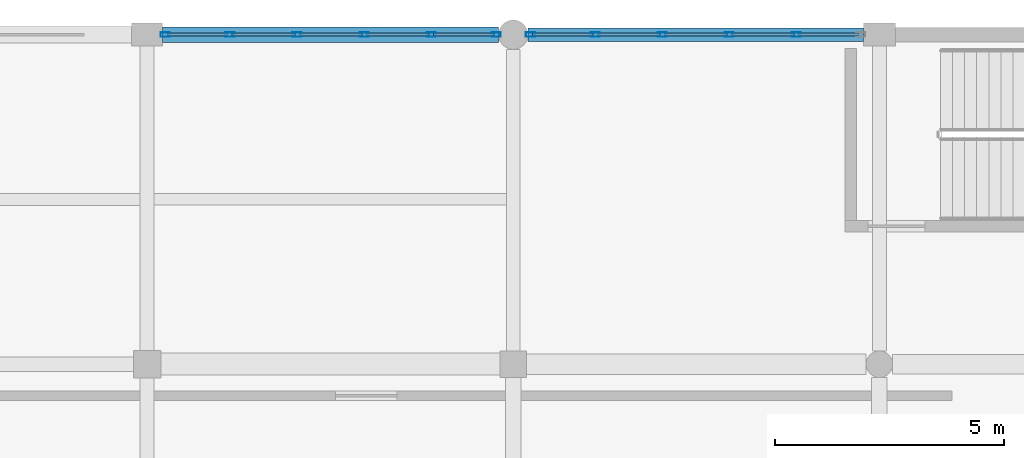
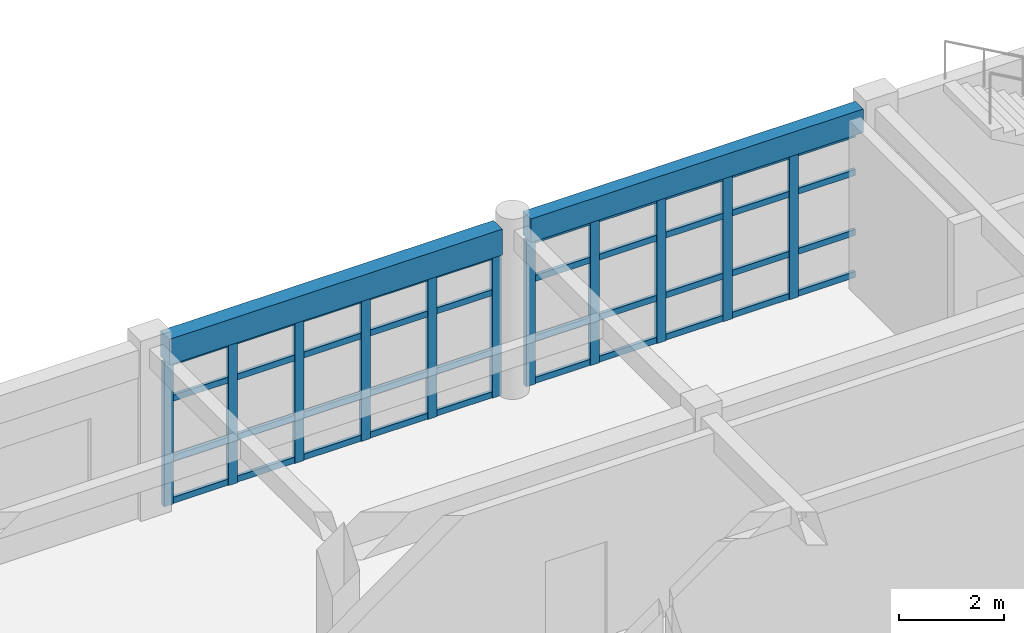
# One storey, part 83 of 121: 51 members, 2 beams, 2 elements without a shape of their own.
"""IFC4 building model written with IfcOpenShell, lengths in metres."""

import ifcopenshell
import ifcopenshell.guid

model = None  # the IFC model being written
_history = None  # IfcOwnerHistory: only IFC2X3 demands one
_inside = {}  # id of a spatial element -> (the spatial element, [elements in it])
_under = {}  # id of a project, library or spatial element -> (it, [spatial elements below it])
_declared = {}  # id of a project -> (the project, [libraries it declares])
_typed = {}  # id of a type object -> (the type object, [elements of that type])
_made_of = {}  # id of a material, layer set ... -> (it, [elements and type objects made of it])


def new_model(schema):
    """Start an empty IFC model of exactly this schema.

    Asked for "IFC4X3", IfcOpenShell would pick the latest addendum, in which some entities
    have other attributes; the version numbers below select the first issue.
    IFC2X3 requires an IfcOwnerHistory on every rooted entity: one is made here for all.
    """
    global model, _history
    if schema == "IFC4X3":
        model = ifcopenshell.file(schema_version=(4, 3, 0, 0))
    else:
        model = ifcopenshell.file(schema=schema)
    _inside.clear()
    _under.clear()
    _declared.clear()
    _typed.clear()
    _made_of.clear()
    _history = None
    if model.schema == "IFC2X3":
        org = make("IfcOrganization", Name="unknown")
        user = make(
            "IfcPersonAndOrganization",
            ThePerson=make("IfcPerson", FamilyName="unknown"),
            TheOrganization=org,
        )
        app = make(
            "IfcApplication",
            ApplicationDeveloper=org,
            Version="unknown",
            ApplicationFullName="unknown",
            ApplicationIdentifier="unknown",
        )
        _history = make(
            "IfcOwnerHistory",
            OwningUser=user,
            OwningApplication=app,
            ChangeAction="ADDED",
            CreationDate=0,
        )
    return model


def make(cls, **values):
    """One entity of the class cls with the attributes given. An attribute that is None is left unset."""
    return model.create_entity(
        cls, **{name: value for name, value in values.items() if value is not None}
    )


def rooted(cls, **values):
    """An entity with a GlobalId (a new one), such as an element, a storey or a relation."""
    return make(cls, GlobalId=ifcopenshell.guid.new(), OwnerHistory=_history, **values)


def si_unit(unit_type, name, prefix=None):
    """IfcSIUnit, for example si_unit("LENGTHUNIT", "METRE", prefix="MILLI")."""
    return make("IfcSIUnit", UnitType=unit_type, Prefix=prefix, Name=name)


def assignment(units):
    """IfcUnitAssignment: the units of a project."""
    return None if units is None else make("IfcUnitAssignment", Units=units)


def point(xyz):
    """IfcCartesianPoint."""
    return None if xyz is None else make("IfcCartesianPoint", Coordinates=xyz)


def direction(xyz):
    """IfcDirection."""
    return None if xyz is None else make("IfcDirection", DirectionRatios=xyz)


def frame(location, z_axis=None, x_axis=None):
    """IfcAxis2Placement3D, a coordinate frame: its origin and axes. An axis left out is left unset."""
    return make(
        "IfcAxis2Placement3D",
        Location=point(location),
        Axis=direction(z_axis),
        RefDirection=direction(x_axis),
    )


def frame_2d(location, x_axis=None):
    """IfcAxis2Placement2D, a coordinate frame in the plane: its origin and x axis."""
    return make(
        "IfcAxis2Placement2D", Location=point(location), RefDirection=direction(x_axis)
    )


def origin():
    """The frame at (0, 0, 0) with its axes left unset."""
    return frame((0.0, 0.0, 0.0))


def origin_2d():
    """The frame at (0, 0) in the plane with its x axis left unset."""
    return frame_2d((0.0, 0.0))


def place(relative_to, where):
    """IfcLocalPlacement: puts the frame where relative to a parent placement (None: the world)."""
    return make(
        "IfcLocalPlacement", PlacementRelTo=relative_to, RelativePlacement=where
    )


def context(
    kind, dimensions, precision=None, world=None, true_north=None, identifier=None
):
    """IfcGeometricRepresentationContext, for example the 3D "Model" context."""
    return make(
        "IfcGeometricRepresentationContext",
        ContextIdentifier=identifier,
        ContextType=kind,
        CoordinateSpaceDimension=dimensions,
        Precision=precision,
        WorldCoordinateSystem=world,
        TrueNorth=true_north,
    )


def subcontext(parent, identifier, kind, view, scale=None):
    """IfcGeometricRepresentationSubContext, for example "Body" below "Model"."""
    return make(
        "IfcGeometricRepresentationSubContext",
        ContextIdentifier=identifier,
        ContextType=kind,
        ParentContext=parent,
        TargetScale=scale,
        TargetView=view,
    )


def project(units=None, contexts=None):
    """IfcProject with its units and contexts."""
    return rooted(
        "IfcProject",
        Name="project",
        RepresentationContexts=contexts,
        UnitsInContext=assignment(units),
    )


def spatial(cls, under=None, at=None, **own):
    """A site, building, storey or space (cls), placed at a placement, below another one or the project."""
    s = rooted(cls, ObjectPlacement=at, **own)
    if under is not None:
        _under.setdefault(under.id(), (under, []))[1].append(s)
    return s


def profile(cls, at=None, kind="AREA", **sizes):
    """A parametric profile (cls). Its sizes go by their IFC names, for example OverallWidth=200.0."""
    return make(cls, ProfileType=kind, Position=at, **sizes)


def rectangle(**sizes):
    """IfcRectangleProfileDef."""
    return profile("IfcRectangleProfileDef", **sizes)


def hollow_rectangle(**sizes):
    """IfcRectangleHollowProfileDef."""
    return profile("IfcRectangleHollowProfileDef", **sizes)


def extrude(swept, where, along, depth):
    """IfcExtrudedAreaSolid: the profile swept, set in the frame where, extruded along a direction by depth."""
    return make(
        "IfcExtrudedAreaSolid",
        SweptArea=swept,
        Position=where,
        ExtrudedDirection=direction(along),
        Depth=depth,
    )


def shape(context_of_items, identifier, shape_type, items):
    """IfcShapeRepresentation: the items that make up one representation, for example the "Body"."""
    return make(
        "IfcShapeRepresentation",
        ContextOfItems=context_of_items,
        RepresentationIdentifier=identifier,
        RepresentationType=shape_type,
        Items=items,
    )


def material(Name=None, Category=None):
    """IfcMaterial."""
    return make("IfcMaterial", Name=Name, Category=Category)


def material_profile(
    of_material, cross_section, Name=None, Category=None, Priority=None
):
    """IfcMaterialProfile: a cross section and its material."""
    return make(
        "IfcMaterialProfile",
        Name=Name,
        Material=of_material,
        Profile=cross_section,
        Priority=Priority,
        Category=Category,
    )


def profile_set(profiles, Name=None, composite=None):
    """IfcMaterialProfileSet."""
    return make(
        "IfcMaterialProfileSet",
        Name=Name,
        MaterialProfiles=profiles,
        CompositeProfile=composite,
    )


def made_of(thing, what):
    """Note that an element or type object is made of a material, layer set ...; save() writes the relation."""
    if what is not None:
        _made_of.setdefault(what.id(), (what, []))[1].append(thing)
    return thing


def type_object(cls, material=None, **own):
    """A type object (cls), such as IfcWallType, which elements share."""
    return made_of(rooted(cls, **own), material)


def element(
    cls,
    number,
    at=None,
    inside=None,
    cuts=None,
    type_object=None,
    material=None,
    context=None,
    identifier="Body",
    shape_type=None,
    held_by="IfcProductDefinitionShape",
    body=None,
    shapes=None,
    **own,
):
    """One element of the class cls, such as IfcWall. Its Tag is "e" and its number.

    at: its placement. inside: the storey or other place that contains it. cuts: it is an
    opening in that element (IfcRelVoidsElement). A single representation is given by context,
    identifier, shape_type and body (its items); several are given by shapes. held_by: the class
    of the entity that holds the representations. save() writes the other relations.
    """
    e = rooted(cls, Tag="e%d" % number, ObjectPlacement=at, **own)
    if body is not None:
        shapes = [shape(context, identifier, shape_type, body)]
    if shapes is not None:
        e.Representation = make(held_by, Representations=shapes)
    if inside is not None:
        _inside.setdefault(inside.id(), (inside, []))[1].append(e)
    if cuts is not None:
        rooted(
            "IfcRelVoidsElement", RelatingBuildingElement=cuts, RelatedOpeningElement=e
        )
    if type_object is not None:
        _typed.setdefault(type_object.id(), (type_object, []))[1].append(e)
    return made_of(e, material)


def aggregate(whole, parts):
    """IfcRelAggregates: a whole, such as a stair, and the parts it consists of."""
    return rooted("IfcRelAggregates", RelatingObject=whole, RelatedObjects=parts)


def save(model, path):
    """Write the relations noted so far, then the file.

    IfcRelAggregates (storeys below a building ...), IfcRelContainedInSpatialStructure (elements
    in a storey), IfcRelDefinesByType, IfcRelAssociatesMaterial and IfcRelDeclares: one each for
    every whole, place, type object, material and project.
    """
    for whole, parts in _under.values():
        aggregate(whole, parts)
    for where, things in _inside.values():
        rooted(
            "IfcRelContainedInSpatialStructure",
            RelatedElements=things,
            RelatingStructure=where,
        )
    for kind, things in _typed.values():
        rooted("IfcRelDefinesByType", RelatedObjects=things, RelatingType=kind)
    for what, things in _made_of.values():
        rooted("IfcRelAssociatesMaterial", RelatedObjects=things, RelatingMaterial=what)
    for by, libraries in _declared.values():
        rooted("IfcRelDeclares", RelatingContext=by, RelatedDefinitions=libraries)
    model.write(path)


model = new_model("IFC4")

# Units and contexts
model_context = context("Model", 3, precision=1e-05, world=origin(), true_north=direction((0.0, 1.0)))
body_context = subcontext(model_context, "Body", "Model", "MODEL_VIEW")
ifc_project = project(units=[si_unit("LENGTHUNIT", "METRE"), si_unit("AREAUNIT", "SQUARE_METRE"), si_unit("VOLUMEUNIT", "CUBIC_METRE"), si_unit("PLANEANGLEUNIT", "RADIAN"), si_unit("MASSUNIT", "GRAM", prefix="KILO")], contexts=[model_context])

# Site, building, storey
site_placement = place(None, origin())
site = spatial("IfcSite", under=ifc_project, at=site_placement, CompositionType="ELEMENT")
building_placement = place(site_placement, origin())
building = spatial("IfcBuilding", under=site, at=building_placement, Name="Kharva Crest Polytechnic", CompositionType="ELEMENT")
storey_placement = place(building_placement, frame((0.0, 0.0, 13.199951171875)))
storey = spatial("IfcBuildingStorey", under=building, at=storey_placement, Name="L03", CompositionType="ELEMENT", Elevation=13.199951171875)

# Curtain wall, members
ifc_material_1 = material(Name="Tempered insulated glass", Category="glass")
curtain_wall_type = type_object("IfcCurtainWallType", Name="CW-SYS-LIBRARY", PredefinedType="USERDEFINED", material=ifc_material_1)
curtain_wall_1_placement = place(storey_placement, origin())
curtain_wall_1 = element("IfcCurtainWall", 1, at=curtain_wall_1_placement, inside=storey, type_object=curtain_wall_type, Name="L03 Glazed Curtain Wall CW-157", ObjectType="CURTAIN WALL", PredefinedType="USERDEFINED")
ifc_material_2 = material(Name="Steel S355", Category="steel")
ifc_material_profile_1 = material_profile(ifc_material_2, hollow_rectangle(XDim=0.10009765625, YDim=0.199951171875, WallThickness=0.00634765625, at=origin_2d()), Name="RHS 200X100X6.3")
ifc_profile_set_1 = profile_set([ifc_material_profile_1], Name="Steel S355")
member_type_1 = type_object("IfcMemberType", Name="CWM-RHS200X100", PredefinedType="MULLION", material=ifc_profile_set_1)
member_1_placement = place(storey_placement, frame((142.98095703125, 122.0, 0.0), z_axis=(0.0, 0.0, 1.0), x_axis=(0.0, -1.0, 0.0)))
member_1 = element("IfcMember", 2, at=member_1_placement, type_object=member_type_1, Name="CW-157 mullion 2", PredefinedType="MULLION", context=body_context, shape_type="SweptSolid", body=[
    extrude(hollow_rectangle(XDim=0.10009765625, YDim=0.199951171875, WallThickness=0.00634765625, at=origin_2d()), origin(), (0.0, 0.0, 1.0), 3.41015625),
])
member_2_placement = place(storey_placement, frame((141.51708984375, 122.0, 0.0), z_axis=(0.0, 0.0, 1.0), x_axis=(0.0, -1.0, 0.0)))
member_2 = element("IfcMember", 3, at=member_2_placement, type_object=member_type_1, Name="CW-157 mullion 3", PredefinedType="MULLION", context=body_context, shape_type="SweptSolid", body=[
    extrude(hollow_rectangle(XDim=0.10009765625, YDim=0.199951171875, WallThickness=0.00634765625, at=origin_2d()), origin(), (0.0, 0.0, 1.0), 3.41015625),
])
member_3_placement = place(storey_placement, frame((140.052978515625, 122.0, 0.0), z_axis=(0.0, 0.0, 1.0), x_axis=(0.0, -1.0, 0.0)))
member_3 = element("IfcMember", 4, at=member_3_placement, type_object=member_type_1, Name="CW-157 mullion 4", PredefinedType="MULLION", context=body_context, shape_type="SweptSolid", body=[
    extrude(hollow_rectangle(XDim=0.10009765625, YDim=0.199951171875, WallThickness=0.00634765625, at=origin_2d()), origin(), (0.0, 0.0, 1.0), 3.41015625),
])
member_4_placement = place(storey_placement, frame((138.589111328125, 122.0, 0.0), z_axis=(0.0, 0.0, 1.0), x_axis=(0.0, -1.0, 0.0)))
member_4 = element("IfcMember", 5, at=member_4_placement, type_object=member_type_1, Name="CW-157 mullion 5", PredefinedType="MULLION", context=body_context, shape_type="SweptSolid", body=[
    extrude(hollow_rectangle(XDim=0.10009765625, YDim=0.199951171875, WallThickness=0.00634765625, at=origin_2d()), origin(), (0.0, 0.0, 1.0), 3.41015625),
])
member_5_placement = place(storey_placement, frame((137.175048828125, 122.0, 0.0), z_axis=(0.0, 0.0, 1.0), x_axis=(0.0, -1.0, 0.0)))
member_5 = element("IfcMember", 6, at=member_5_placement, type_object=member_type_1, Name="CW-157 mullion 6", PredefinedType="MULLION", context=body_context, shape_type="SweptSolid", body=[
    extrude(hollow_rectangle(XDim=0.10009765625, YDim=0.199951171875, WallThickness=0.00634765625, at=origin_2d()), origin(), (0.0, 0.0, 1.0), 3.41015625),
])

curtain_wall_2_placement = place(storey_placement, origin())
curtain_wall_2 = element("IfcCurtainWall", 7, at=curtain_wall_2_placement, inside=storey, type_object=curtain_wall_type, Name="L03 Glazed Curtain Wall CW-158", ObjectType="CURTAIN WALL", PredefinedType="USERDEFINED")
member_6_placement = place(storey_placement, frame((136.425048828125, 122.0, 0.0), z_axis=(0.0, 0.0, 1.0), x_axis=(0.0, -1.0, 0.0)))
member_6 = element("IfcMember", 8, at=member_6_placement, type_object=member_type_1, Name="CW-158 mullion 1", PredefinedType="MULLION", context=body_context, shape_type="SweptSolid", body=[
    extrude(hollow_rectangle(XDim=0.10009765625, YDim=0.199951171875, WallThickness=0.00634765625, at=origin_2d()), origin(), (0.0, 0.0, 1.0), 3.360107421875),
])
member_7_placement = place(storey_placement, frame((135.009033203125, 122.0, 0.0), z_axis=(0.0, 0.0, 1.0), x_axis=(0.0, -1.0, 0.0)))
member_7 = element("IfcMember", 9, at=member_7_placement, type_object=member_type_1, Name="CW-158 mullion 2", PredefinedType="MULLION", context=body_context, shape_type="SweptSolid", body=[
    extrude(hollow_rectangle(XDim=0.10009765625, YDim=0.199951171875, WallThickness=0.00634765625, at=origin_2d()), origin(), (0.0, 0.0, 1.0), 3.360107421875),
])
member_8_placement = place(storey_placement, frame((133.54296875, 122.0, 0.0), z_axis=(0.0, 0.0, 1.0), x_axis=(0.0, -1.0, 0.0)))
member_8 = element("IfcMember", 10, at=member_8_placement, type_object=member_type_1, Name="CW-158 mullion 3", PredefinedType="MULLION", context=body_context, shape_type="SweptSolid", body=[
    extrude(hollow_rectangle(XDim=0.10009765625, YDim=0.199951171875, WallThickness=0.00634765625, at=origin_2d()), origin(), (0.0, 0.0, 1.0), 3.360107421875),
])
member_9_placement = place(storey_placement, frame((132.076904296875, 122.0, 0.0), z_axis=(0.0, 0.0, 1.0), x_axis=(0.0, -1.0, 0.0)))
member_9 = element("IfcMember", 11, at=member_9_placement, type_object=member_type_1, Name="CW-158 mullion 4", PredefinedType="MULLION", context=body_context, shape_type="SweptSolid", body=[
    extrude(hollow_rectangle(XDim=0.10009765625, YDim=0.199951171875, WallThickness=0.00634765625, at=origin_2d()), origin(), (0.0, 0.0, 1.0), 3.360107421875),
])
member_10_placement = place(storey_placement, frame((130.611083984375, 122.0, 0.0), z_axis=(0.0, 0.0, 1.0), x_axis=(0.0, -1.0, 0.0)))
member_10 = element("IfcMember", 12, at=member_10_placement, type_object=member_type_1, Name="CW-158 mullion 5", PredefinedType="MULLION", context=body_context, shape_type="SweptSolid", body=[
    extrude(hollow_rectangle(XDim=0.10009765625, YDim=0.199951171875, WallThickness=0.00634765625, at=origin_2d()), origin(), (0.0, 0.0, 1.0), 3.360107421875),
])
member_11_placement = place(storey_placement, frame((129.195068359375, 122.0, 0.0), z_axis=(0.0, 0.0, 1.0), x_axis=(0.0, -1.0, 0.0)))
member_11 = element("IfcMember", 13, at=member_11_placement, type_object=member_type_1, Name="CW-158 mullion 6", PredefinedType="MULLION", context=body_context, shape_type="SweptSolid", body=[
    extrude(hollow_rectangle(XDim=0.10009765625, YDim=0.199951171875, WallThickness=0.00634765625, at=origin_2d()), origin(), (0.0, 0.0, 1.0), 3.360107421875),
])

# Member
ifc_material_profile_2 = material_profile(ifc_material_2, hollow_rectangle(XDim=0.070068359375, YDim=0.139892578125, WallThickness=0.00390625, at=origin_2d()), Name="RHS 140X70X4.0")
ifc_profile_set_2 = profile_set([ifc_material_profile_2], Name="Steel S355")
member_type_2 = type_object("IfcMemberType", Name="CWT-RHS140X70", PredefinedType="USERDEFINED", material=ifc_profile_set_2)
member_12_placement = place(storey_placement, frame((144.344970703125, 122.0, 0.070068359375), z_axis=(-1.0, 0.0, 0.0), x_axis=(0.0, -1.0, 0.0)))
member_12 = element("IfcMember", 14, at=member_12_placement, type_object=member_type_2, Name="CW-157 transom 1.1", ObjectType="TRANSOM", PredefinedType="USERDEFINED", context=body_context, shape_type="SweptSolid", body=[
    extrude(hollow_rectangle(XDim=0.070068359375, YDim=0.139892578125, WallThickness=0.00390625, at=origin_2d()), origin(), (0.0, 0.0, 1.0), 1.31396484375),
])

member_13_placement = place(storey_placement, frame((144.344970703125, 122.0, 1.050048828125), z_axis=(-1.0, 0.0, 0.0), x_axis=(0.0, -1.0, 0.0)))
member_13 = element("IfcMember", 15, at=member_13_placement, type_object=member_type_2, Name="CW-157 transom 1.2", ObjectType="TRANSOM", PredefinedType="USERDEFINED", context=body_context, shape_type="SweptSolid", body=[
    extrude(hollow_rectangle(XDim=0.070068359375, YDim=0.139892578125, WallThickness=0.00390625, at=origin_2d()), origin(), (0.0, 0.0, 1.0), 1.31396484375),
])

member_14_placement = place(storey_placement, frame((144.344970703125, 122.0, 2.449951171875), z_axis=(-1.0, 0.0, 0.0), x_axis=(0.0, -1.0, 0.0)))
member_14 = element("IfcMember", 16, at=member_14_placement, type_object=member_type_2, Name="CW-157 transom 1.3", ObjectType="TRANSOM", PredefinedType="USERDEFINED", context=body_context, shape_type="SweptSolid", body=[
    extrude(hollow_rectangle(XDim=0.070068359375, YDim=0.139892578125, WallThickness=0.00390625, at=origin_2d()), origin(), (0.0, 0.0, 1.0), 1.31396484375),
])

member_15_placement = place(storey_placement, frame((144.344970703125, 122.0, 3.340087890625), z_axis=(-1.0, 0.0, 0.0), x_axis=(0.0, -1.0, 0.0)))
member_15 = element("IfcMember", 17, at=member_15_placement, type_object=member_type_2, Name="CW-157 transom 1.4", ObjectType="TRANSOM", PredefinedType="USERDEFINED", context=body_context, shape_type="SweptSolid", body=[
    extrude(hollow_rectangle(XDim=0.070068359375, YDim=0.139892578125, WallThickness=0.00390625, at=origin_2d()), origin(), (0.0, 0.0, 1.0), 1.31396484375),
])

member_16_placement = place(storey_placement, frame((142.930908203125, 122.0, 0.070068359375), z_axis=(-1.0, 0.0, 0.0), x_axis=(0.0, -1.0, 0.0)))
member_16 = element("IfcMember", 18, at=member_16_placement, type_object=member_type_2, Name="CW-157 transom 2.1", ObjectType="TRANSOM", PredefinedType="USERDEFINED", context=body_context, shape_type="SweptSolid", body=[
    extrude(hollow_rectangle(XDim=0.070068359375, YDim=0.139892578125, WallThickness=0.00390625, at=origin_2d()), origin(), (0.0, 0.0, 1.0), 1.364013671875),
])

member_17_placement = place(storey_placement, frame((142.930908203125, 122.0, 1.050048828125), z_axis=(-1.0, 0.0, 0.0), x_axis=(0.0, -1.0, 0.0)))
member_17 = element("IfcMember", 19, at=member_17_placement, type_object=member_type_2, Name="CW-157 transom 2.2", ObjectType="TRANSOM", PredefinedType="USERDEFINED", context=body_context, shape_type="SweptSolid", body=[
    extrude(hollow_rectangle(XDim=0.070068359375, YDim=0.139892578125, WallThickness=0.00390625, at=origin_2d()), origin(), (0.0, 0.0, 1.0), 1.364013671875),
])

member_18_placement = place(storey_placement, frame((142.930908203125, 122.0, 2.449951171875), z_axis=(-1.0, 0.0, 0.0), x_axis=(0.0, -1.0, 0.0)))
member_18 = element("IfcMember", 20, at=member_18_placement, type_object=member_type_2, Name="CW-157 transom 2.3", ObjectType="TRANSOM", PredefinedType="USERDEFINED", context=body_context, shape_type="SweptSolid", body=[
    extrude(hollow_rectangle(XDim=0.070068359375, YDim=0.139892578125, WallThickness=0.00390625, at=origin_2d()), origin(), (0.0, 0.0, 1.0), 1.364013671875),
])

member_19_placement = place(storey_placement, frame((142.930908203125, 122.0, 3.340087890625), z_axis=(-1.0, 0.0, 0.0), x_axis=(0.0, -1.0, 0.0)))
member_19 = element("IfcMember", 21, at=member_19_placement, type_object=member_type_2, Name="CW-157 transom 2.4", ObjectType="TRANSOM", PredefinedType="USERDEFINED", context=body_context, shape_type="SweptSolid", body=[
    extrude(hollow_rectangle(XDim=0.070068359375, YDim=0.139892578125, WallThickness=0.00390625, at=origin_2d()), origin(), (0.0, 0.0, 1.0), 1.364013671875),
])

member_20_placement = place(storey_placement, frame((141.467041015625, 122.0, 0.070068359375), z_axis=(-1.0, 0.0, 0.0), x_axis=(0.0, -1.0, 0.0)))
member_20 = element("IfcMember", 22, at=member_20_placement, type_object=member_type_2, Name="CW-157 transom 3.1", ObjectType="TRANSOM", PredefinedType="USERDEFINED", context=body_context, shape_type="SweptSolid", body=[
    extrude(hollow_rectangle(XDim=0.070068359375, YDim=0.139892578125, WallThickness=0.00390625, at=origin_2d()), origin(), (0.0, 0.0, 1.0), 1.364013671875),
])

member_21_placement = place(storey_placement, frame((141.467041015625, 122.0, 1.050048828125), z_axis=(-1.0, 0.0, 0.0), x_axis=(0.0, -1.0, 0.0)))
member_21 = element("IfcMember", 23, at=member_21_placement, type_object=member_type_2, Name="CW-157 transom 3.2", ObjectType="TRANSOM", PredefinedType="USERDEFINED", context=body_context, shape_type="SweptSolid", body=[
    extrude(hollow_rectangle(XDim=0.070068359375, YDim=0.139892578125, WallThickness=0.00390625, at=origin_2d()), origin(), (0.0, 0.0, 1.0), 1.364013671875),
])

member_22_placement = place(storey_placement, frame((141.467041015625, 122.0, 2.449951171875), z_axis=(-1.0, 0.0, 0.0), x_axis=(0.0, -1.0, 0.0)))
member_22 = element("IfcMember", 24, at=member_22_placement, type_object=member_type_2, Name="CW-157 transom 3.3", ObjectType="TRANSOM", PredefinedType="USERDEFINED", context=body_context, shape_type="SweptSolid", body=[
    extrude(hollow_rectangle(XDim=0.070068359375, YDim=0.139892578125, WallThickness=0.00390625, at=origin_2d()), origin(), (0.0, 0.0, 1.0), 1.364013671875),
])

member_23_placement = place(storey_placement, frame((141.467041015625, 122.0, 3.340087890625), z_axis=(-1.0, 0.0, 0.0), x_axis=(0.0, -1.0, 0.0)))
member_23 = element("IfcMember", 25, at=member_23_placement, type_object=member_type_2, Name="CW-157 transom 3.4", ObjectType="TRANSOM", PredefinedType="USERDEFINED", context=body_context, shape_type="SweptSolid", body=[
    extrude(hollow_rectangle(XDim=0.070068359375, YDim=0.139892578125, WallThickness=0.00390625, at=origin_2d()), origin(), (0.0, 0.0, 1.0), 1.364013671875),
])

member_24_placement = place(storey_placement, frame((140.0029296875, 122.0, 0.070068359375), z_axis=(-1.0, 0.0, 0.0), x_axis=(0.0, -1.0, 0.0)))
member_24 = element("IfcMember", 26, at=member_24_placement, type_object=member_type_2, Name="CW-157 transom 4.1", ObjectType="TRANSOM", PredefinedType="USERDEFINED", context=body_context, shape_type="SweptSolid", body=[
    extrude(hollow_rectangle(XDim=0.070068359375, YDim=0.139892578125, WallThickness=0.00390625, at=origin_2d()), origin(), (0.0, 0.0, 1.0), 1.364013671875),
])

member_25_placement = place(storey_placement, frame((140.0029296875, 122.0, 1.050048828125), z_axis=(-1.0, 0.0, 0.0), x_axis=(0.0, -1.0, 0.0)))
member_25 = element("IfcMember", 27, at=member_25_placement, type_object=member_type_2, Name="CW-157 transom 4.2", ObjectType="TRANSOM", PredefinedType="USERDEFINED", context=body_context, shape_type="SweptSolid", body=[
    extrude(hollow_rectangle(XDim=0.070068359375, YDim=0.139892578125, WallThickness=0.00390625, at=origin_2d()), origin(), (0.0, 0.0, 1.0), 1.364013671875),
])

member_26_placement = place(storey_placement, frame((140.0029296875, 122.0, 2.449951171875), z_axis=(-1.0, 0.0, 0.0), x_axis=(0.0, -1.0, 0.0)))
member_26 = element("IfcMember", 28, at=member_26_placement, type_object=member_type_2, Name="CW-157 transom 4.3", ObjectType="TRANSOM", PredefinedType="USERDEFINED", context=body_context, shape_type="SweptSolid", body=[
    extrude(hollow_rectangle(XDim=0.070068359375, YDim=0.139892578125, WallThickness=0.00390625, at=origin_2d()), origin(), (0.0, 0.0, 1.0), 1.364013671875),
])

member_27_placement = place(storey_placement, frame((140.0029296875, 122.0, 3.340087890625), z_axis=(-1.0, 0.0, 0.0), x_axis=(0.0, -1.0, 0.0)))
member_27 = element("IfcMember", 29, at=member_27_placement, type_object=member_type_2, Name="CW-157 transom 4.4", ObjectType="TRANSOM", PredefinedType="USERDEFINED", context=body_context, shape_type="SweptSolid", body=[
    extrude(hollow_rectangle(XDim=0.070068359375, YDim=0.139892578125, WallThickness=0.00390625, at=origin_2d()), origin(), (0.0, 0.0, 1.0), 1.364013671875),
])

member_28_placement = place(storey_placement, frame((138.5390625, 122.0, 0.070068359375), z_axis=(-1.0, 0.0, 0.0), x_axis=(0.0, -1.0, 0.0)))
member_28 = element("IfcMember", 30, at=member_28_placement, type_object=member_type_2, Name="CW-157 transom 5.1", ObjectType="TRANSOM", PredefinedType="USERDEFINED", context=body_context, shape_type="SweptSolid", body=[
    extrude(hollow_rectangle(XDim=0.070068359375, YDim=0.139892578125, WallThickness=0.00390625, at=origin_2d()), origin(), (0.0, 0.0, 1.0), 1.31396484375),
])

member_29_placement = place(storey_placement, frame((138.5390625, 122.0, 1.050048828125), z_axis=(-1.0, 0.0, 0.0), x_axis=(0.0, -1.0, 0.0)))
member_29 = element("IfcMember", 31, at=member_29_placement, type_object=member_type_2, Name="CW-157 transom 5.2", ObjectType="TRANSOM", PredefinedType="USERDEFINED", context=body_context, shape_type="SweptSolid", body=[
    extrude(hollow_rectangle(XDim=0.070068359375, YDim=0.139892578125, WallThickness=0.00390625, at=origin_2d()), origin(), (0.0, 0.0, 1.0), 1.31396484375),
])

member_30_placement = place(storey_placement, frame((138.5390625, 122.0, 2.449951171875), z_axis=(-1.0, 0.0, 0.0), x_axis=(0.0, -1.0, 0.0)))
member_30 = element("IfcMember", 32, at=member_30_placement, type_object=member_type_2, Name="CW-157 transom 5.3", ObjectType="TRANSOM", PredefinedType="USERDEFINED", context=body_context, shape_type="SweptSolid", body=[
    extrude(hollow_rectangle(XDim=0.070068359375, YDim=0.139892578125, WallThickness=0.00390625, at=origin_2d()), origin(), (0.0, 0.0, 1.0), 1.31396484375),
])

member_31_placement = place(storey_placement, frame((138.5390625, 122.0, 3.340087890625), z_axis=(-1.0, 0.0, 0.0), x_axis=(0.0, -1.0, 0.0)))
member_31 = element("IfcMember", 33, at=member_31_placement, type_object=member_type_2, Name="CW-157 transom 5.4", ObjectType="TRANSOM", PredefinedType="USERDEFINED", context=body_context, shape_type="SweptSolid", body=[
    extrude(hollow_rectangle(XDim=0.070068359375, YDim=0.139892578125, WallThickness=0.00390625, at=origin_2d()), origin(), (0.0, 0.0, 1.0), 1.31396484375),
])

aggregate(curtain_wall_1, [member_1, member_2, member_3, member_4, member_5, member_12, member_13, member_14, member_15, member_16, member_17, member_18, member_19, member_20, member_21, member_22, member_23, member_24, member_25, member_26, member_27, member_28, member_29, member_30, member_31])

member_32_placement = place(storey_placement, frame((136.375, 122.0, 0.070068359375), z_axis=(-1.0, 0.0, 0.0), x_axis=(0.0, -1.0, 0.0)))
member_32 = element("IfcMember", 34, at=member_32_placement, type_object=member_type_2, Name="CW-158 transom 1.1", ObjectType="TRANSOM", PredefinedType="USERDEFINED", context=body_context, shape_type="SweptSolid", body=[
    extrude(hollow_rectangle(XDim=0.070068359375, YDim=0.139892578125, WallThickness=0.00390625, at=origin_2d()), origin(), (0.0, 0.0, 1.0), 1.31591796875),
])

member_33_placement = place(storey_placement, frame((136.375, 122.0, 1.050048828125), z_axis=(-1.0, 0.0, 0.0), x_axis=(0.0, -1.0, 0.0)))
member_33 = element("IfcMember", 35, at=member_33_placement, type_object=member_type_2, Name="CW-158 transom 1.2", ObjectType="TRANSOM", PredefinedType="USERDEFINED", context=body_context, shape_type="SweptSolid", body=[
    extrude(hollow_rectangle(XDim=0.070068359375, YDim=0.139892578125, WallThickness=0.00390625, at=origin_2d()), origin(), (0.0, 0.0, 1.0), 1.31591796875),
])

member_34_placement = place(storey_placement, frame((136.375, 122.0, 2.449951171875), z_axis=(-1.0, 0.0, 0.0), x_axis=(0.0, -1.0, 0.0)))
member_34 = element("IfcMember", 36, at=member_34_placement, type_object=member_type_2, Name="CW-158 transom 1.3", ObjectType="TRANSOM", PredefinedType="USERDEFINED", context=body_context, shape_type="SweptSolid", body=[
    extrude(hollow_rectangle(XDim=0.070068359375, YDim=0.139892578125, WallThickness=0.00390625, at=origin_2d()), origin(), (0.0, 0.0, 1.0), 1.31591796875),
])

member_35_placement = place(storey_placement, frame((136.375, 122.0, 3.2900390625), z_axis=(-1.0, 0.0, 0.0), x_axis=(0.0, -1.0, 0.0)))
member_35 = element("IfcMember", 37, at=member_35_placement, type_object=member_type_2, Name="CW-158 transom 1.4", ObjectType="TRANSOM", PredefinedType="USERDEFINED", context=body_context, shape_type="SweptSolid", body=[
    extrude(hollow_rectangle(XDim=0.070068359375, YDim=0.139892578125, WallThickness=0.00390625, at=origin_2d()), origin(), (0.0, 0.0, 1.0), 1.31591796875),
])

member_36_placement = place(storey_placement, frame((134.958984375, 122.0, 0.070068359375), z_axis=(-1.0, 0.0, 0.0), x_axis=(0.0, -1.0, 0.0)))
member_36 = element("IfcMember", 38, at=member_36_placement, type_object=member_type_2, Name="CW-158 transom 2.1", ObjectType="TRANSOM", PredefinedType="USERDEFINED", context=body_context, shape_type="SweptSolid", body=[
    extrude(hollow_rectangle(XDim=0.070068359375, YDim=0.139892578125, WallThickness=0.00390625, at=origin_2d()), origin(), (0.0, 0.0, 1.0), 1.365966796875),
])

member_37_placement = place(storey_placement, frame((134.958984375, 122.0, 1.050048828125), z_axis=(-1.0, 0.0, 0.0), x_axis=(0.0, -1.0, 0.0)))
member_37 = element("IfcMember", 39, at=member_37_placement, type_object=member_type_2, Name="CW-158 transom 2.2", ObjectType="TRANSOM", PredefinedType="USERDEFINED", context=body_context, shape_type="SweptSolid", body=[
    extrude(hollow_rectangle(XDim=0.070068359375, YDim=0.139892578125, WallThickness=0.00390625, at=origin_2d()), origin(), (0.0, 0.0, 1.0), 1.365966796875),
])

member_38_placement = place(storey_placement, frame((134.958984375, 122.0, 2.449951171875), z_axis=(-1.0, 0.0, 0.0), x_axis=(0.0, -1.0, 0.0)))
member_38 = element("IfcMember", 40, at=member_38_placement, type_object=member_type_2, Name="CW-158 transom 2.3", ObjectType="TRANSOM", PredefinedType="USERDEFINED", context=body_context, shape_type="SweptSolid", body=[
    extrude(hollow_rectangle(XDim=0.070068359375, YDim=0.139892578125, WallThickness=0.00390625, at=origin_2d()), origin(), (0.0, 0.0, 1.0), 1.365966796875),
])

member_39_placement = place(storey_placement, frame((134.958984375, 122.0, 3.2900390625), z_axis=(-1.0, 0.0, 0.0), x_axis=(0.0, -1.0, 0.0)))
member_39 = element("IfcMember", 41, at=member_39_placement, type_object=member_type_2, Name="CW-158 transom 2.4", ObjectType="TRANSOM", PredefinedType="USERDEFINED", context=body_context, shape_type="SweptSolid", body=[
    extrude(hollow_rectangle(XDim=0.070068359375, YDim=0.139892578125, WallThickness=0.00390625, at=origin_2d()), origin(), (0.0, 0.0, 1.0), 1.365966796875),
])

member_40_placement = place(storey_placement, frame((133.492919921875, 122.0, 0.070068359375), z_axis=(-1.0, 0.0, 0.0), x_axis=(0.0, -1.0, 0.0)))
member_40 = element("IfcMember", 42, at=member_40_placement, type_object=member_type_2, Name="CW-158 transom 3.1", ObjectType="TRANSOM", PredefinedType="USERDEFINED", context=body_context, shape_type="SweptSolid", body=[
    extrude(hollow_rectangle(XDim=0.070068359375, YDim=0.139892578125, WallThickness=0.00390625, at=origin_2d()), origin(), (0.0, 0.0, 1.0), 1.365966796875),
])

member_41_placement = place(storey_placement, frame((133.492919921875, 122.0, 1.050048828125), z_axis=(-1.0, 0.0, 0.0), x_axis=(0.0, -1.0, 0.0)))
member_41 = element("IfcMember", 43, at=member_41_placement, type_object=member_type_2, Name="CW-158 transom 3.2", ObjectType="TRANSOM", PredefinedType="USERDEFINED", context=body_context, shape_type="SweptSolid", body=[
    extrude(hollow_rectangle(XDim=0.070068359375, YDim=0.139892578125, WallThickness=0.00390625, at=origin_2d()), origin(), (0.0, 0.0, 1.0), 1.365966796875),
])

member_42_placement = place(storey_placement, frame((133.492919921875, 122.0, 2.449951171875), z_axis=(-1.0, 0.0, 0.0), x_axis=(0.0, -1.0, 0.0)))
member_42 = element("IfcMember", 44, at=member_42_placement, type_object=member_type_2, Name="CW-158 transom 3.3", ObjectType="TRANSOM", PredefinedType="USERDEFINED", context=body_context, shape_type="SweptSolid", body=[
    extrude(hollow_rectangle(XDim=0.070068359375, YDim=0.139892578125, WallThickness=0.00390625, at=origin_2d()), origin(), (0.0, 0.0, 1.0), 1.365966796875),
])

member_43_placement = place(storey_placement, frame((133.492919921875, 122.0, 3.2900390625), z_axis=(-1.0, 0.0, 0.0), x_axis=(0.0, -1.0, 0.0)))
member_43 = element("IfcMember", 45, at=member_43_placement, type_object=member_type_2, Name="CW-158 transom 3.4", ObjectType="TRANSOM", PredefinedType="USERDEFINED", context=body_context, shape_type="SweptSolid", body=[
    extrude(hollow_rectangle(XDim=0.070068359375, YDim=0.139892578125, WallThickness=0.00390625, at=origin_2d()), origin(), (0.0, 0.0, 1.0), 1.365966796875),
])

member_44_placement = place(storey_placement, frame((132.027099609375, 122.0, 0.070068359375), z_axis=(-1.0, 0.0, 0.0), x_axis=(0.0, -1.0, 0.0)))
member_44 = element("IfcMember", 46, at=member_44_placement, type_object=member_type_2, Name="CW-158 transom 4.1", ObjectType="TRANSOM", PredefinedType="USERDEFINED", context=body_context, shape_type="SweptSolid", body=[
    extrude(hollow_rectangle(XDim=0.070068359375, YDim=0.139892578125, WallThickness=0.00390625, at=origin_2d()), origin(), (0.0, 0.0, 1.0), 1.3662109375),
])

member_45_placement = place(storey_placement, frame((132.027099609375, 122.0, 1.050048828125), z_axis=(-1.0, 0.0, 0.0), x_axis=(0.0, -1.0, 0.0)))
member_45 = element("IfcMember", 47, at=member_45_placement, type_object=member_type_2, Name="CW-158 transom 4.2", ObjectType="TRANSOM", PredefinedType="USERDEFINED", context=body_context, shape_type="SweptSolid", body=[
    extrude(hollow_rectangle(XDim=0.070068359375, YDim=0.139892578125, WallThickness=0.00390625, at=origin_2d()), origin(), (0.0, 0.0, 1.0), 1.3662109375),
])

member_46_placement = place(storey_placement, frame((132.027099609375, 122.0, 2.449951171875), z_axis=(-1.0, 0.0, 0.0), x_axis=(0.0, -1.0, 0.0)))
member_46 = element("IfcMember", 48, at=member_46_placement, type_object=member_type_2, Name="CW-158 transom 4.3", ObjectType="TRANSOM", PredefinedType="USERDEFINED", context=body_context, shape_type="SweptSolid", body=[
    extrude(hollow_rectangle(XDim=0.070068359375, YDim=0.139892578125, WallThickness=0.00390625, at=origin_2d()), origin(), (0.0, 0.0, 1.0), 1.3662109375),
])

member_47_placement = place(storey_placement, frame((132.027099609375, 122.0, 3.2900390625), z_axis=(-1.0, 0.0, 0.0), x_axis=(0.0, -1.0, 0.0)))
member_47 = element("IfcMember", 49, at=member_47_placement, type_object=member_type_2, Name="CW-158 transom 4.4", ObjectType="TRANSOM", PredefinedType="USERDEFINED", context=body_context, shape_type="SweptSolid", body=[
    extrude(hollow_rectangle(XDim=0.070068359375, YDim=0.139892578125, WallThickness=0.00390625, at=origin_2d()), origin(), (0.0, 0.0, 1.0), 1.3662109375),
])

member_48_placement = place(storey_placement, frame((130.56103515625, 122.0, 0.070068359375), z_axis=(-1.0, 0.0, 0.0), x_axis=(0.0, -1.0, 0.0)))
member_48 = element("IfcMember", 50, at=member_48_placement, type_object=member_type_2, Name="CW-158 transom 5.1", ObjectType="TRANSOM", PredefinedType="USERDEFINED", context=body_context, shape_type="SweptSolid", body=[
    extrude(hollow_rectangle(XDim=0.070068359375, YDim=0.139892578125, WallThickness=0.00390625, at=origin_2d()), origin(), (0.0, 0.0, 1.0), 1.31591796875),
])

member_49_placement = place(storey_placement, frame((130.56103515625, 122.0, 1.050048828125), z_axis=(-1.0, 0.0, 0.0), x_axis=(0.0, -1.0, 0.0)))
member_49 = element("IfcMember", 51, at=member_49_placement, type_object=member_type_2, Name="CW-158 transom 5.2", ObjectType="TRANSOM", PredefinedType="USERDEFINED", context=body_context, shape_type="SweptSolid", body=[
    extrude(hollow_rectangle(XDim=0.070068359375, YDim=0.139892578125, WallThickness=0.00390625, at=origin_2d()), origin(), (0.0, 0.0, 1.0), 1.31591796875),
])

member_50_placement = place(storey_placement, frame((130.56103515625, 122.0, 2.449951171875), z_axis=(-1.0, 0.0, 0.0), x_axis=(0.0, -1.0, 0.0)))
member_50 = element("IfcMember", 52, at=member_50_placement, type_object=member_type_2, Name="CW-158 transom 5.3", ObjectType="TRANSOM", PredefinedType="USERDEFINED", context=body_context, shape_type="SweptSolid", body=[
    extrude(hollow_rectangle(XDim=0.070068359375, YDim=0.139892578125, WallThickness=0.00390625, at=origin_2d()), origin(), (0.0, 0.0, 1.0), 1.31591796875),
])

member_51_placement = place(storey_placement, frame((130.56103515625, 122.0, 3.2900390625), z_axis=(-1.0, 0.0, 0.0), x_axis=(0.0, -1.0, 0.0)))
member_51 = element("IfcMember", 53, at=member_51_placement, type_object=member_type_2, Name="CW-158 transom 5.4", ObjectType="TRANSOM", PredefinedType="USERDEFINED", context=body_context, shape_type="SweptSolid", body=[
    extrude(hollow_rectangle(XDim=0.070068359375, YDim=0.139892578125, WallThickness=0.00390625, at=origin_2d()), origin(), (0.0, 0.0, 1.0), 1.31591796875),
])

aggregate(curtain_wall_2, [member_6, member_7, member_8, member_9, member_10, member_11, member_32, member_33, member_34, member_35, member_36, member_37, member_38, member_39, member_40, member_41, member_42, member_43, member_44, member_45, member_46, member_47, member_48, member_49, member_50, member_51])

# Beams
ifc_material_3 = material(Name="Concrete C35/45", Category="concrete")
ifc_material_profile_3 = material_profile(ifc_material_3, rectangle(XDim=0.300048828125, YDim=0.550048828125, at=origin_2d()), Name="RECT 300 X 550")
ifc_profile_set_3 = profile_set([ifc_material_profile_3], Name="Concrete C35/45")
beam_type_1 = type_object("IfcBeamType", Name="SP-RC-300X550", PredefinedType="SPANDREL", material=ifc_profile_set_3)
beam_1_placement = place(storey_placement, frame((137.1201171875, 122.0, 3.68505859375), z_axis=(1.0, 0.0, 0.0), x_axis=(0.0, 1.0, 0.0)))
element("IfcBeam", 54, at=beam_1_placement, inside=storey, type_object=beam_type_1, Name="L03 Beam S/18-19", PredefinedType="SPANDREL", context=body_context, shape_type="SweptSolid", body=[
    extrude(rectangle(XDim=0.300048828125, YDim=0.550048828125, at=origin_2d()), origin(), (0.0, 0.0, 1.0), 7.329833984375),
])
ifc_material_profile_4 = material_profile(ifc_material_3, rectangle(XDim=0.340087890625, YDim=0.60009765625, at=origin_2d()), Name="RECT 340 X 600")
ifc_profile_set_4 = profile_set([ifc_material_profile_4], Name="Concrete C35/45")
beam_type_2 = type_object("IfcBeamType", Name="SP-RC-340X600", PredefinedType="SPANDREL", material=ifc_profile_set_4)
beam_2_placement = place(storey_placement, frame((129.139892578125, 122.0, 3.66015625), z_axis=(1.0, 0.0, 0.0), x_axis=(0.0, 1.0, 0.0)))
element("IfcBeam", 55, at=beam_2_placement, inside=storey, type_object=beam_type_2, Name="L03 Beam S/17-18", PredefinedType="SPANDREL", context=body_context, shape_type="SweptSolid", body=[
    extrude(rectangle(XDim=0.340087890625, YDim=0.60009765625, at=origin_2d()), origin(), (0.0, 0.0, 1.0), 7.340087890625),
])

save(model, "model.ifc")
